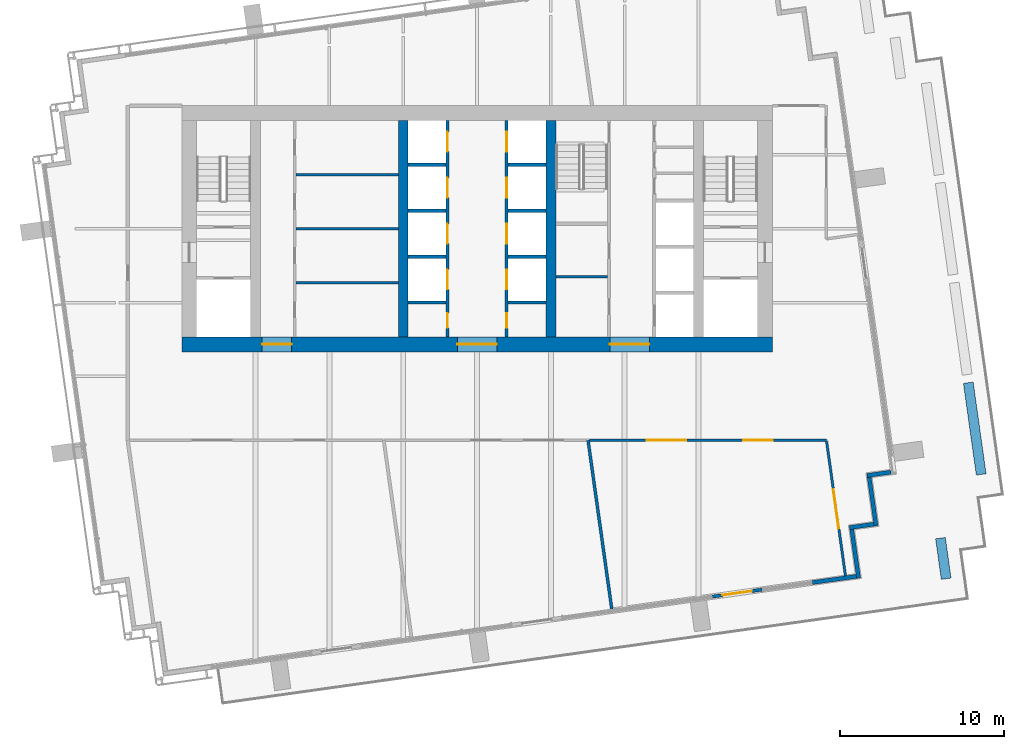
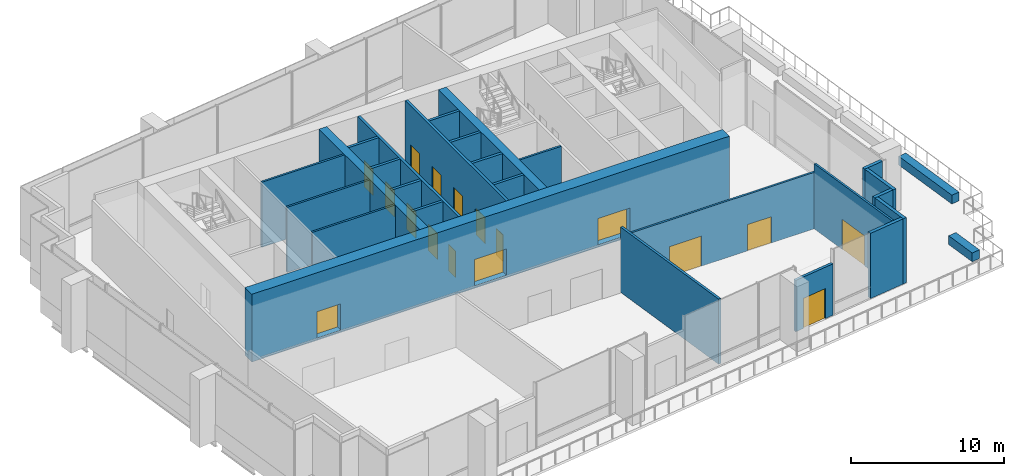
# One storey, part 7 of 14: 28 walls, 15 doors, 2 windows, 17 openings.
"""IFC4 building model written with IfcOpenShell, lengths in metres."""

from ifc_helpers import new_model, si_unit, direction, frame, frame_2d, origin, place, context, subcontext, project, spatial, rectangle, extrude, material, layer, layer_set, type_object, element, fill, save


model = new_model("IFC4")

# Units and contexts
model_context = context("Model", 3, precision=1e-05, world=origin(), true_north=direction((0.0, 1.0)))
body_context = subcontext(model_context, "Body", "Model", "MODEL_VIEW")
ifc_project = project(units=[si_unit("LENGTHUNIT", "METRE"), si_unit("AREAUNIT", "SQUARE_METRE"), si_unit("VOLUMEUNIT", "CUBIC_METRE"), si_unit("PLANEANGLEUNIT", "RADIAN"), si_unit("MASSUNIT", "GRAM", prefix="KILO")], contexts=[model_context])

# Site, building, storey
site_placement = place(None, origin())
site = spatial("IfcSite", under=ifc_project, at=site_placement, CompositionType="ELEMENT")
building_placement = place(site_placement, origin())
building = spatial("IfcBuilding", under=site, at=building_placement, Name="Rattan Terrace Tower", CompositionType="ELEMENT")
storey_placement = place(building_placement, frame((0.0, 0.0, 249.699951171875)))
storey = spatial("IfcBuildingStorey", under=building, at=storey_placement, Name="L57", CompositionType="ELEMENT", Elevation=249.699951171875)

# Walls
ifc_material_1 = material(Name="Gypsum board partition")
ifc_layer_1 = layer(ifc_material_1, 0.14990234375)
ifc_layer_set_1 = layer_set([ifc_layer_1], Name="Core partition 150")
wall_type_1 = type_object("IfcWallType", Name="Core partition 150", PredefinedType="PARTITIONING", material=ifc_layer_set_1)
for number, where, z_axis, x_axis, name in (
    (1, (-11.050048828125, -3.300048828125, 0.0), (0.0, 0.0, 1.0), (1.0, 0.0, 0.0), "Core room wall"),
    (2, (-11.050048828125, 0.0, 0.0), (0.0, 0.0, 1.0), (1.0, 0.0, 0.0), "Core room wall"),
    (3, (-11.050048828125, 3.300048828125, 0.0), (0.0, 0.0, 1.0), (1.0, 0.0, 0.0), "Core room wall"),
):
    element("IfcWall", number, at=place(storey_placement, frame(where, z_axis=z_axis, x_axis=x_axis)), inside=storey, type_object=wall_type_1, Name=name, PredefinedType="PARTITIONING", context=body_context, shape_type="SweptSolid", body=[
        extrude(rectangle(XDim=6.25, YDim=0.14990234375, at=frame_2d((3.125, 0.0))), origin(), (0.0, 0.0, 1.0), 5.199951171875),
    ])
wall_1_placement = place(storey_placement, frame((4.800048828125, -2.927978515625, 0.0), z_axis=(0.0, 0.0, 1.0), x_axis=(1.0, 0.0, 0.0)))
element("IfcWall", 4, at=wall_1_placement, inside=storey, type_object=wall_type_1, Name="Toilet wall", PredefinedType="PARTITIONING", context=body_context, shape_type="SweptSolid", body=[
    extrude(rectangle(XDim=3.14990234375, YDim=0.14990234375, at=frame_2d((1.574951171875, 0.0))), origin(), (0.0, 0.0, 1.0), 5.199951171875),
])

# Wall, openings, doors
ifc_material_2 = material(Name="Concrete C50/60", Category="concrete")
ifc_layer_2 = layer(ifc_material_2, 0.89990234375)
ifc_layer_set_2 = layer_set([ifc_layer_2], Name="Core ring wall 900 C50/60")
wall_type_2 = type_object("IfcWallType", Name="Core ring wall 900 C50/60", PredefinedType="SHEAR", material=ifc_layer_set_2)
wall_2_placement = place(storey_placement, frame((-18.0, -7.050048828125, -0.199951171875), z_axis=(0.0, 0.0, 1.0), x_axis=(1.0, 0.0, 0.0)))
wall_2 = element("IfcWall", 5, at=wall_2_placement, inside=storey, type_object=wall_type_2, Name="Rear core wall south", PredefinedType="SHEAR", context=body_context, shape_type="SweptSolid", body=[
    extrude(rectangle(XDim=36.0, YDim=0.89990234375, at=frame_2d((18.0, 0.0))), origin(), (0.0, 0.0, 1.0), 5.39990234375),
])
opening_1_placement = place(wall_2_placement, frame((4.89990234375, 0.0, 0.199951171875)))
opening_1 = element("IfcOpeningElement", 6, at=opening_1_placement, cuts=wall_2, Name="Opening L57-D009", PredefinedType="OPENING", context=body_context, shape_type="SweptSolid", body=[
    extrude(rectangle(XDim=1.800048828125, YDim=2.10009765625, at=frame_2d((0.89990234375, 1.050048828125))), frame((0.0, 0.46044921875, 0.0), z_axis=(0.0, -1.0, 0.0), x_axis=(1.0, 0.0, 0.0)), (0.0, 0.0, 1.0), 0.9208984375),
])
opening_2_placement = place(wall_2_placement, frame((16.800048828125, 0.0, 0.199951171875)))
opening_2 = element("IfcOpeningElement", 7, at=opening_2_placement, cuts=wall_2, Name="Opening L57-D012", PredefinedType="OPENING", context=body_context, shape_type="SweptSolid", body=[
    extrude(rectangle(XDim=2.39990234375, YDim=2.10009765625, at=frame_2d((1.199951171875, 1.050048828125))), frame((0.0, 0.46044921875, 0.0), z_axis=(0.0, -1.0, 0.0), x_axis=(1.0, 0.0, 0.0)), (0.0, 0.0, 1.0), 0.9208984375),
])
opening_3_placement = place(wall_2_placement, frame((26.10009765625, 0.0, 0.199951171875)))
opening_3 = element("IfcOpeningElement", 8, at=opening_3_placement, cuts=wall_2, Name="Opening L57-D016", PredefinedType="OPENING", context=body_context, shape_type="SweptSolid", body=[
    extrude(rectangle(XDim=2.39990234375, YDim=2.10009765625, at=frame_2d((1.199951171875, 1.050048828125))), frame((0.0, 0.46044921875, 0.0), z_axis=(0.0, -1.0, 0.0), x_axis=(1.0, 0.0, 0.0)), (0.0, 0.0, 1.0), 0.9208984375),
])
ifc_material_3 = material(Name="Hollow-metal fire door leaf")
door_type_1 = type_object("IfcDoorType", Name="Core lift lobby door 2400", OperationType="NOTDEFINED", PredefinedType="DOOR", material=ifc_material_3)
door_1_placement = place(opening_2_placement, origin())
door_1 = element("IfcDoor", 9, at=door_1_placement, inside=storey, type_object=door_type_1, Name="Door L57-D012", OperationType="DOUBLE_DOOR_DOUBLE_SWING", OverallHeight=2.10009765625, OverallWidth=2.39990234375, PredefinedType="DOOR", context=body_context, shape_type="SweptSolid", body=[
    extrude(rectangle(XDim=2.39990234375, YDim=2.10009765625, at=frame_2d((1.199951171875, 1.050048828125))), frame((0.0, 0.02490234375, 0.0), z_axis=(0.0, -1.0, 0.0), x_axis=(1.0, 0.0, 0.0)), (0.0, 0.0, 1.0), 0.050048828125),
])
fill(opening_2, door_1)
door_2_placement = place(opening_3_placement, origin())
door_2 = element("IfcDoor", 10, at=door_2_placement, inside=storey, type_object=door_type_1, Name="Door L57-D016", OperationType="DOUBLE_DOOR_DOUBLE_SWING", OverallHeight=2.10009765625, OverallWidth=2.39990234375, PredefinedType="DOOR", context=body_context, shape_type="SweptSolid", body=[
    extrude(rectangle(XDim=2.39990234375, YDim=2.10009765625, at=frame_2d((1.199951171875, 1.050048828125))), frame((0.0, 0.02490234375, 0.0), z_axis=(0.0, -1.0, 0.0), x_axis=(1.0, 0.0, 0.0)), (0.0, 0.0, 1.0), 0.050048828125),
])
fill(opening_3, door_2)
ifc_material_4 = material(Name="Hollow-metal fire door leaf")
door_type_2 = type_object("IfcDoorType", Name="Core service room door 1800", OperationType="NOTDEFINED", PredefinedType="DOOR", material=ifc_material_4)
door_3_placement = place(opening_1_placement, origin())
door_3 = element("IfcDoor", 11, at=door_3_placement, inside=storey, type_object=door_type_2, Name="Door L57-D009", OperationType="SINGLE_SWING_RIGHT", OverallHeight=2.10009765625, OverallWidth=1.800048828125, PredefinedType="DOOR", context=body_context, shape_type="SweptSolid", body=[
    extrude(rectangle(XDim=1.800048828125, YDim=2.10009765625, at=frame_2d((0.89990234375, 1.050048828125))), frame((0.0, 0.02490234375, 0.0), z_axis=(0.0, -1.0, 0.0), x_axis=(1.0, 0.0, 0.0)), (0.0, 0.0, 1.0), 0.050048828125),
])
fill(opening_1, door_3)

# Walls
ifc_material_5 = material(Name="Concrete C50/60", Category="concrete")
ifc_layer_3 = layer(ifc_material_5, 0.60009765625)
ifc_layer_set_3 = layer_set([ifc_layer_3], Name="Core spine wall 600 C50/60")
wall_type_3 = type_object("IfcWallType", Name="Core spine wall 600 C50/60", PredefinedType="SHEAR", material=ifc_layer_set_3)
for number, where, z_axis, x_axis, name in (
    (12, (-4.5, -6.60009765625, -0.199951171875), (0.0, 0.0, 1.0), (0.0, 1.0, 0.0), "Core spine wall 2"),
    (13, (4.5, -6.60009765625, -0.199951171875), (0.0, 0.0, 1.0), (0.0, 1.0, 0.0), "Core spine wall 3"),
):
    element("IfcWall", number, at=place(storey_placement, frame(where, z_axis=z_axis, x_axis=x_axis)), inside=storey, type_object=wall_type_3, Name=name, PredefinedType="SHEAR", context=body_context, shape_type="SweptSolid", body=[
        extrude(rectangle(XDim=13.2001953125, YDim=0.60009765625, at=frame_2d((6.60009765625, 0.0))), origin(), (0.0, 0.0, 1.0), 5.39990234375),
    ])

# Wall, opening, door
ifc_material_6 = material(Name="Insulated aluminium-clad stud wall", Category="aluminium")
ifc_layer_4 = layer(ifc_material_6, 0.199951171875)
ifc_layer_set_4 = layer_set([ifc_layer_4], Name="Facade Door Wall 200")
wall_type_4 = type_object("IfcWallType", Name="Facade Door Wall 200", PredefinedType="SOLIDWALL", material=ifc_layer_set_4)
wall_3_placement = place(storey_placement, frame((14.330322265625, -22.430419921875, 0.0), z_axis=(0.0, 0.0, 1.0), x_axis=(0.990273122723, 0.139137135276, 0.0)))
wall_3 = element("IfcWall", 14, at=wall_3_placement, inside=storey, type_object=wall_type_4, Name="Terrace door wall L57-24", PredefinedType="SOLIDWALL", context=body_context, shape_type="SweptSolid", body=[
    extrude(rectangle(XDim=3.0830078125, YDim=0.199951171875, at=frame_2d((1.54150390625, 0.0))), origin(), (0.0, 0.0, 1.0), 4.10009765625),
])
opening_4_placement = place(wall_3_placement, frame((0.6416015625, 0.0, 0.0)))
opening_4 = element("IfcOpeningElement", 15, at=opening_4_placement, cuts=wall_3, Name="Opening L57-D704", PredefinedType="OPENING", context=body_context, shape_type="SweptSolid", body=[
    extrude(rectangle(XDim=1.800048828125, YDim=2.39990234375, at=frame_2d((0.89990234375, 1.199951171875))), frame((0.0, 0.110595703125, 0.0), z_axis=(0.0, -1.0, 0.0), x_axis=(1.0, 0.0, 0.0)), (0.0, 0.0, 1.0), 0.220947265625),
])
ifc_material_7 = material(Name="Aluminium and clear glass", Category="aluminium")
door_type_3 = type_object("IfcDoorType", Name="Facade Terrace Door 1800", OperationType="DOUBLE_DOOR_SINGLE_SWING", PredefinedType="DOOR", material=ifc_material_7)
door_4_placement = place(opening_4_placement, origin())
door_4 = element("IfcDoor", 16, at=door_4_placement, inside=storey, type_object=door_type_3, Name="Terrace door L57-D704", OperationType="DOUBLE_DOOR_SINGLE_SWING", OverallHeight=2.39990234375, OverallWidth=1.800048828125, PredefinedType="DOOR", context=body_context, shape_type="SweptSolid", body=[
    extrude(rectangle(XDim=1.800048828125, YDim=2.39990234375, at=frame_2d((0.89990234375, 1.199951171875))), frame((0.0, 0.02490234375, 0.0), z_axis=(0.0, -1.0, 0.0), x_axis=(1.0, 0.0, 0.0)), (0.0, 0.0, 1.0), 0.050048828125),
])
fill(opening_4, door_4)

# Walls
ifc_material_8 = material(Name="Precast concrete C30/37", Category="concrete")
ifc_layer_5 = layer(ifc_material_8, 0.60009765625)
ifc_layer_set_5 = layer_set([ifc_layer_5], Name="Facade Planter Wall 600")
wall_type_5 = type_object("IfcWallType", Name="Facade Planter Wall 600", PredefinedType="SOLIDWALL", material=ifc_layer_set_5)
wall_4_placement = place(storey_placement, frame((29.948974609375, -9.385986328125, 0.0), z_axis=(0.0, 0.0, 1.0), x_axis=(0.139309782763, -0.990248849748, 0.0)))
element("IfcWall", 17, at=wall_4_placement, inside=storey, type_object=wall_type_5, Name="PLANTER bed L57-6", PredefinedType="SOLIDWALL", context=body_context, shape_type="SweptSolid", body=[
    extrude(rectangle(XDim=5.650146484375, YDim=0.60009765625, at=frame_2d((2.8251953125, 0.0))), origin(), (0.0, 0.0, 1.0), 0.699951171875),
])
wall_5_placement = place(storey_placement, frame((28.2529296875, -18.864013671875, 0.0), z_axis=(0.0, 0.0, 1.0), x_axis=(0.138850869202, -0.990313302002, 0.0)))
element("IfcWall", 18, at=wall_5_placement, inside=storey, type_object=wall_type_5, Name="PLANTER bed L57-7", PredefinedType="SOLIDWALL", context=body_context, shape_type="SweptSolid", body=[
    extrude(rectangle(XDim=2.500244140625, YDim=0.60009765625, at=frame_2d((1.25, 0.0))), origin(), (0.0, 0.0, 1.0), 0.699951171875),
])
ifc_material_9 = material(Name="Insulated aluminium-clad stud wall", Category="aluminium")
ifc_layer_6 = layer(ifc_material_9, 0.25)
ifc_layer_set_6 = layer_set([ifc_layer_6], Name="Facade Riser Wall 250")
wall_type_6 = type_object("IfcWallType", Name="Facade Riser Wall 250", PredefinedType="SOLIDWALL", material=ifc_layer_set_6)
wall_6_placement = place(storey_placement, frame((20.4404296875, -21.571533203125, 0.0), z_axis=(0.0, 0.0, 1.0), x_axis=(0.990293105353, 0.138994839796, 0.0)))
element("IfcWall", 19, at=wall_6_placement, inside=storey, type_object=wall_type_6, Name="Riser wall L57-1", PredefinedType="SOLIDWALL", context=body_context, shape_type="SweptSolid", body=[
    extrude(rectangle(XDim=2.705078125, YDim=0.25, at=frame_2d((1.3525390625, 0.0))), origin(), (0.0, 0.0, 1.0), 5.199951171875),
])
wall_7_placement = place(storey_placement, frame((23.260498046875, -21.302001953125, 0.0), z_axis=(0.0, 0.0, 1.0), x_axis=(-0.138994228812, 0.990293191109, 0.0)))
element("IfcWall", 20, at=wall_7_placement, inside=storey, type_object=wall_type_6, Name="Riser wall L57-2", PredefinedType="SOLIDWALL", context=body_context, shape_type="SweptSolid", body=[
    extrude(rectangle(XDim=3.0, YDim=0.25, at=frame_2d((1.5, 0.0))), origin(), (0.0, 0.0, 1.0), 5.199951171875),
])
wall_8_placement = place(storey_placement, frame((22.7021484375, -18.224853515625, 0.0), z_axis=(0.0, 0.0, 1.0), x_axis=(0.990243596651, 0.13934711799, 0.0)))
element("IfcWall", 21, at=wall_8_placement, inside=storey, type_object=wall_type_6, Name="Riser wall L57-3", PredefinedType="SOLIDWALL", context=body_context, shape_type="SweptSolid", body=[
    extrude(rectangle(XDim=1.499755859375, YDim=0.25, at=frame_2d((0.75, 0.0))), origin(), (0.0, 0.0, 1.0), 5.199951171875),
])
wall_9_placement = place(storey_placement, frame((24.328369140625, -18.1220703125, 0.0), z_axis=(0.0, 0.0, 1.0), x_axis=(-0.139358350296, 0.990242015975, 0.0)))
element("IfcWall", 22, at=wall_9_placement, inside=storey, type_object=wall_type_6, Name="Riser wall L57-4", PredefinedType="SOLIDWALL", context=body_context, shape_type="SweptSolid", body=[
    extrude(rectangle(XDim=2.999267578125, YDim=0.25, at=frame_2d((1.49951171875, 0.0))), origin(), (0.0, 0.0, 1.0), 5.199951171875),
])
wall_10_placement = place(storey_placement, frame((23.769287109375, -15.045654296875, 0.0), z_axis=(0.0, 0.0, 1.0), x_axis=(0.990271190169, 0.139150889045, 0.0)))
element("IfcWall", 23, at=wall_10_placement, inside=storey, type_object=wall_type_6, Name="Riser wall L57-5", PredefinedType="SOLIDWALL", context=body_context, shape_type="SweptSolid", body=[
    extrude(rectangle(XDim=1.4755859375, YDim=0.25, at=frame_2d((0.73779296875, 0.0))), origin(), (0.0, 0.0, 1.0), 5.199951171875),
])
ifc_material_10 = material(Name="Double steel stud acoustic partition, gypsum board, mineral wool, fire rated", Category="steel")
ifc_layer_7 = layer(ifc_material_10, 0.179931640625)
ifc_layer_set_7 = layer_set([ifc_layer_7], Name="Floors Acoustic Party Wall 180")
wall_type_7 = type_object("IfcWallType", Name="Floors Acoustic Party Wall 180", PredefinedType="PARTITIONING", material=ifc_layer_set_7)
wall_11_placement = place(storey_placement, frame((8.214111328125, -23.199951171875, 0.0), z_axis=(0.0, 0.0, 1.0), x_axis=(-0.139120683078, 0.99027543418, 0.0)))
element("IfcWall", 24, at=wall_11_placement, inside=storey, type_object=wall_type_7, Name="pt-L57-010", PredefinedType="PARTITIONING", context=body_context, shape_type="SweptSolid", body=[
    extrude(rectangle(XDim=10.401123046875, YDim=0.179931640625, at=frame_2d((5.20068359375, 0.0))), origin(), (0.0, 0.0, 1.0), 5.199951171875),
])

# Wall, openings, door, window
ifc_material_11 = material(Name="Gypsum board partition on steel studs, fire rated", Category="steel")
ifc_layer_8 = layer(ifc_material_11, 0.14990234375)
ifc_layer_set_8 = layer_set([ifc_layer_8], Name="Floors Tenancy Wall 150")
wall_type_8 = type_object("IfcWallType", Name="Floors Tenancy Wall 150", PredefinedType="PARTITIONING", material=ifc_layer_set_8)
wall_12_placement = place(storey_placement, frame((21.301025390625, -12.89990234375, 0.0), z_axis=(0.0, 0.0, 1.0), x_axis=(-1.0, 0.0, 0.0)))
wall_12 = element("IfcWall", 25, at=wall_12_placement, inside=storey, type_object=wall_type_8, Name="pt-L57-001", PredefinedType="PARTITIONING", context=body_context, shape_type="SweptSolid", body=[
    extrude(rectangle(XDim=14.43310546875, YDim=0.14990234375, at=frame_2d((7.216552734375, 0.0))), origin(), (0.0, 0.0, 1.0), 4.5),
])
opening_5_placement = place(wall_12_placement, frame((3.282958984375, 0.0, 0.0)))
opening_5 = element("IfcOpeningElement", 26, at=opening_5_placement, cuts=wall_12, Name="Opening L57-D100", PredefinedType="OPENING", context=body_context, shape_type="SweptSolid", body=[
    extrude(rectangle(XDim=1.800048828125, YDim=2.10009765625, at=frame_2d((0.89990234375, 1.050048828125))), frame((0.0, 0.08544921875, 0.0), z_axis=(0.0, -1.0, 0.0), x_axis=(1.0, 0.0, 0.0)), (0.0, 0.0, 1.0), 0.1708984375),
])
opening_6_placement = place(wall_12_placement, frame((8.555908203125, 0.0, 0.0)))
opening_6 = element("IfcOpeningElement", 27, at=opening_6_placement, cuts=wall_12, Name="Opening L57-W100", PredefinedType="OPENING", context=body_context, shape_type="SweptSolid", body=[
    extrude(rectangle(XDim=2.39990234375, YDim=2.39990234375, at=frame_2d((1.199951171875, 1.199951171875))), frame((0.0, 0.08544921875, 0.0), z_axis=(0.0, -1.0, 0.0), x_axis=(1.0, 0.0, 0.0)), (0.0, 0.0, 1.0), 0.1708984375),
])
ifc_material_12 = material(Name="Steel fire door set", Category="steel")
door_type_4 = type_object("IfcDoorType", Name="Floors Fire Door Pair FD30S 1800x2100", OperationType="NOTDEFINED", PredefinedType="DOOR", material=ifc_material_12)
door_5_placement = place(opening_5_placement, origin())
door_5 = element("IfcDoor", 28, at=door_5_placement, inside=storey, type_object=door_type_4, Name="d-L57-100", OperationType="DOUBLE_DOOR_SINGLE_SWING", OverallHeight=2.10009765625, OverallWidth=1.800048828125, PredefinedType="DOOR", context=body_context, shape_type="SweptSolid", body=[
    extrude(rectangle(XDim=1.800048828125, YDim=2.10009765625, at=frame_2d((0.89990234375, 1.050048828125))), frame((0.0, 0.02490234375, 0.0), z_axis=(0.0, -1.0, 0.0), x_axis=(1.0, 0.0, 0.0)), (0.0, 0.0, 1.0), 0.050048828125),
])
fill(opening_5, door_5)
ifc_material_13 = material(Name="Glass, clear, fixed in aluminium frame", Category="aluminium")
window_type = type_object("IfcWindowType", Name="Interior Glazed Screen 2400x2400", PartitioningType="SINGLE_PANEL", PredefinedType="WINDOW", material=ifc_material_13)
window_1_placement = place(opening_6_placement, origin())
window_1 = element("IfcWindow", 29, at=window_1_placement, inside=storey, type_object=window_type, Name="w-L57-100", OverallHeight=2.39990234375, OverallWidth=2.39990234375, PartitioningType="SINGLE_PANEL", PredefinedType="WINDOW", context=body_context, shape_type="SweptSolid", body=[
    extrude(rectangle(XDim=2.39990234375, YDim=2.39990234375, at=frame_2d((1.199951171875, 1.199951171875))), frame((0.0, 0.030029296875, 0.0), z_axis=(0.0, -1.0, 0.0), x_axis=(1.0, 0.0, 0.0)), (0.0, 0.0, 1.0), 0.06005859375),
])
fill(opening_6, window_1)

# Wall, opening, window
wall_13_placement = place(storey_placement, frame((22.466064453125, -21.197021484375, 0.0), z_axis=(0.0, 0.0, 1.0), x_axis=(-0.139079162596, 0.990281266374, 0.0)))
wall_13 = element("IfcWall", 30, at=wall_13_placement, inside=storey, type_object=wall_type_8, Name="pt-L57-002", PredefinedType="PARTITIONING", context=body_context, shape_type="SweptSolid", body=[
    extrude(rectangle(XDim=8.304931640625, YDim=0.14990234375, at=frame_2d((4.15234375, 0.0))), origin(), (0.0, 0.0, 1.0), 5.199951171875),
])
opening_7_placement = place(wall_13_placement, frame((2.951904296875, 0.0, 0.0)))
opening_7 = element("IfcOpeningElement", 31, at=opening_7_placement, cuts=wall_13, Name="Opening L57-W101", PredefinedType="OPENING", context=body_context, shape_type="SweptSolid", body=[
    extrude(rectangle(XDim=2.39990234375, YDim=2.39990234375, at=frame_2d((1.199951171875, 1.199951171875))), frame((0.0, 0.08544921875, 0.0), z_axis=(0.0, -1.0, 0.0), x_axis=(1.0, 0.0, 0.0)), (0.0, 0.0, 1.0), 0.1708984375),
])
window_2_placement = place(opening_7_placement, origin())
window_2 = element("IfcWindow", 32, at=window_2_placement, inside=storey, type_object=window_type, Name="w-L57-101", OverallHeight=2.39990234375, OverallWidth=2.39990234375, PartitioningType="SINGLE_PANEL", PredefinedType="WINDOW", context=body_context, shape_type="SweptSolid", body=[
    extrude(rectangle(XDim=2.39990234375, YDim=2.39990234375, at=frame_2d((1.199951171875, 1.199951171875))), frame((0.0, 0.030029296875, 0.0), z_axis=(0.0, -1.0, 0.0), x_axis=(1.0, 0.0, 0.0)), (0.0, 0.0, 1.0), 0.06005859375),
])
fill(opening_7, window_2)

# Wall, openings, doors
ifc_material_14 = material(Name="Gypsum shaft wall system")
ifc_layer_9 = layer(ifc_material_14, 0.199951171875)
ifc_layer_set_9 = layer_set([ifc_layer_9], Name="Lift shaft wall 200")
wall_type_9 = type_object("IfcWallType", Name="Lift shaft wall 200", PredefinedType="PARTITIONING", material=ifc_layer_set_9)
wall_14_placement = place(storey_placement, frame((-1.800048828125, -6.60009765625, 0.0), z_axis=(0.0, 0.0, 1.0), x_axis=(0.0, 1.0, 0.0)))
wall_14 = element("IfcWall", 33, at=wall_14_placement, inside=storey, type_object=wall_type_9, Name="Lift shaft front wall", PredefinedType="PARTITIONING", context=body_context, shape_type="SweptSolid", body=[
    extrude(rectangle(XDim=13.2001953125, YDim=0.199951171875, at=frame_2d((6.60009765625, 0.0))), origin(), (0.0, 0.0, 1.0), 5.199951171875),
])
opening_8_placement = place(wall_14_placement, frame((0.550048828125, 0.0, 0.0)))
opening_8 = element("IfcOpeningElement", 34, at=opening_8_placement, cuts=wall_14, Name="Opening L57-D010", PredefinedType="OPENING", context=body_context, shape_type="SweptSolid", body=[
    extrude(rectangle(XDim=0.89990234375, YDim=2.10009765625, at=frame_2d((0.449951171875, 1.050048828125))), frame((0.0, 0.110595703125, 0.0), z_axis=(0.0, -1.0, 0.0), x_axis=(1.0, 0.0, 0.0)), (0.0, 0.0, 1.0), 0.220947265625),
])
opening_9_placement = place(wall_14_placement, frame((2.89990234375, 0.0, 0.0)))
opening_9 = element("IfcOpeningElement", 35, at=opening_9_placement, cuts=wall_14, Name="Opening L57-LD-HR1", PredefinedType="OPENING", context=body_context, shape_type="SweptSolid", body=[
    extrude(rectangle(XDim=1.199951171875, YDim=2.10009765625, at=frame_2d((0.60009765625, 1.050048828125))), frame((0.0, 0.110595703125, 0.0), z_axis=(0.0, -1.0, 0.0), x_axis=(1.0, 0.0, 0.0)), (0.0, 0.0, 1.0), 0.220947265625),
])
opening_10_placement = place(wall_14_placement, frame((5.699951171875, 0.0, 0.0)))
opening_10 = element("IfcOpeningElement", 36, at=opening_10_placement, cuts=wall_14, Name="Opening L57-LD-HR2", PredefinedType="OPENING", context=body_context, shape_type="SweptSolid", body=[
    extrude(rectangle(XDim=1.199951171875, YDim=2.10009765625, at=frame_2d((0.60009765625, 1.050048828125))), frame((0.0, 0.110595703125, 0.0), z_axis=(0.0, -1.0, 0.0), x_axis=(1.0, 0.0, 0.0)), (0.0, 0.0, 1.0), 0.220947265625),
])
opening_11_placement = place(wall_14_placement, frame((8.5, 0.0, 0.0)))
opening_11 = element("IfcOpeningElement", 37, at=opening_11_placement, cuts=wall_14, Name="Opening L57-LD-HR3", PredefinedType="OPENING", context=body_context, shape_type="SweptSolid", body=[
    extrude(rectangle(XDim=1.199951171875, YDim=2.10009765625, at=frame_2d((0.60009765625, 1.050048828125))), frame((0.0, 0.110595703125, 0.0), z_axis=(0.0, -1.0, 0.0), x_axis=(1.0, 0.0, 0.0)), (0.0, 0.0, 1.0), 0.220947265625),
])
opening_12_placement = place(wall_14_placement, frame((11.300048828125, 0.0, 0.0)))
opening_12 = element("IfcOpeningElement", 38, at=opening_12_placement, cuts=wall_14, Name="Opening L57-LD-HR4", PredefinedType="OPENING", context=body_context, shape_type="SweptSolid", body=[
    extrude(rectangle(XDim=1.199951171875, YDim=2.10009765625, at=frame_2d((0.60009765625, 1.050048828125))), frame((0.0, 0.110595703125, 0.0), z_axis=(0.0, -1.0, 0.0), x_axis=(1.0, 0.0, 0.0)), (0.0, 0.0, 1.0), 0.220947265625),
])
ifc_material_15 = material(Name="Brushed stainless landing door panel")
door_type_5 = type_object("IfcDoorType", Name="Core lift landing door 1200", OperationType="DOUBLE_DOOR_SLIDING", PredefinedType="DOOR", material=ifc_material_15)
door_6_placement = place(opening_9_placement, origin())
door_6 = element("IfcDoor", 39, at=door_6_placement, inside=storey, type_object=door_type_5, Name="Door L57-LD-HR1", OperationType="DOUBLE_DOOR_SLIDING", OverallHeight=2.10009765625, OverallWidth=1.199951171875, PredefinedType="DOOR", context=body_context, shape_type="SweptSolid", body=[
    extrude(rectangle(XDim=1.199951171875, YDim=2.10009765625, at=frame_2d((0.60009765625, 1.050048828125))), frame((0.0, 0.02490234375, 0.0), z_axis=(0.0, -1.0, 0.0), x_axis=(1.0, 0.0, 0.0)), (0.0, 0.0, 1.0), 0.050048828125),
])
fill(opening_9, door_6)
door_7_placement = place(opening_10_placement, origin())
door_7 = element("IfcDoor", 40, at=door_7_placement, inside=storey, type_object=door_type_5, Name="Door L57-LD-HR2", OperationType="DOUBLE_DOOR_SLIDING", OverallHeight=2.10009765625, OverallWidth=1.199951171875, PredefinedType="DOOR", context=body_context, shape_type="SweptSolid", body=[
    extrude(rectangle(XDim=1.199951171875, YDim=2.10009765625, at=frame_2d((0.60009765625, 1.050048828125))), frame((0.0, 0.02490234375, 0.0), z_axis=(0.0, -1.0, 0.0), x_axis=(1.0, 0.0, 0.0)), (0.0, 0.0, 1.0), 0.050048828125),
])
fill(opening_10, door_7)
door_8_placement = place(opening_11_placement, origin())
door_8 = element("IfcDoor", 41, at=door_8_placement, inside=storey, type_object=door_type_5, Name="Door L57-LD-HR3", OperationType="DOUBLE_DOOR_SLIDING", OverallHeight=2.10009765625, OverallWidth=1.199951171875, PredefinedType="DOOR", context=body_context, shape_type="SweptSolid", body=[
    extrude(rectangle(XDim=1.199951171875, YDim=2.10009765625, at=frame_2d((0.60009765625, 1.050048828125))), frame((0.0, 0.02490234375, 0.0), z_axis=(0.0, -1.0, 0.0), x_axis=(1.0, 0.0, 0.0)), (0.0, 0.0, 1.0), 0.050048828125),
])
fill(opening_11, door_8)
door_9_placement = place(opening_12_placement, origin())
door_9 = element("IfcDoor", 42, at=door_9_placement, inside=storey, type_object=door_type_5, Name="Door L57-LD-HR4", OperationType="DOUBLE_DOOR_SLIDING", OverallHeight=2.10009765625, OverallWidth=1.199951171875, PredefinedType="DOOR", context=body_context, shape_type="SweptSolid", body=[
    extrude(rectangle(XDim=1.199951171875, YDim=2.10009765625, at=frame_2d((0.60009765625, 1.050048828125))), frame((0.0, 0.02490234375, 0.0), z_axis=(0.0, -1.0, 0.0), x_axis=(1.0, 0.0, 0.0)), (0.0, 0.0, 1.0), 0.050048828125),
])
fill(opening_12, door_9)
ifc_material_16 = material(Name="Hollow-metal fire door leaf")
door_type_6 = type_object("IfcDoorType", Name="Core riser door 900", OperationType="NOTDEFINED", PredefinedType="DOOR", material=ifc_material_16)
door_10_placement = place(opening_8_placement, origin())
door_10 = element("IfcDoor", 43, at=door_10_placement, inside=storey, type_object=door_type_6, Name="Door L57-D010", OperationType="SINGLE_SWING_LEFT", OverallHeight=2.10009765625, OverallWidth=0.89990234375, PredefinedType="DOOR", context=body_context, shape_type="SweptSolid", body=[
    extrude(rectangle(XDim=0.89990234375, YDim=2.10009765625, at=frame_2d((0.449951171875, 1.050048828125))), frame((0.0, 0.02490234375, 0.0), z_axis=(0.0, -1.0, 0.0), x_axis=(1.0, 0.0, 0.0)), (0.0, 0.0, 1.0), 0.050048828125),
])
fill(opening_8, door_10)

wall_15_placement = place(storey_placement, frame((1.800048828125, -6.60009765625, 0.0), z_axis=(0.0, 0.0, 1.0), x_axis=(0.0, 1.0, 0.0)))
wall_15 = element("IfcWall", 44, at=wall_15_placement, inside=storey, type_object=wall_type_9, Name="Lift shaft front wall", PredefinedType="PARTITIONING", context=body_context, shape_type="SweptSolid", body=[
    extrude(rectangle(XDim=13.2001953125, YDim=0.199951171875, at=frame_2d((6.60009765625, 0.0))), origin(), (0.0, 0.0, 1.0), 5.199951171875),
])
opening_13_placement = place(wall_15_placement, frame((0.550048828125, 0.0, 0.0)))
opening_13 = element("IfcOpeningElement", 45, at=opening_13_placement, cuts=wall_15, Name="Opening L57-D011", PredefinedType="OPENING", context=body_context, shape_type="SweptSolid", body=[
    extrude(rectangle(XDim=0.89990234375, YDim=2.10009765625, at=frame_2d((0.449951171875, 1.050048828125))), frame((0.0, 0.110595703125, 0.0), z_axis=(0.0, -1.0, 0.0), x_axis=(1.0, 0.0, 0.0)), (0.0, 0.0, 1.0), 0.220947265625),
])
opening_14_placement = place(wall_15_placement, frame((2.89990234375, 0.0, 0.0)))
opening_14 = element("IfcOpeningElement", 46, at=opening_14_placement, cuts=wall_15, Name="Opening L57-LD-HR5", PredefinedType="OPENING", context=body_context, shape_type="SweptSolid", body=[
    extrude(rectangle(XDim=1.199951171875, YDim=2.10009765625, at=frame_2d((0.60009765625, 1.050048828125))), frame((0.0, 0.110595703125, 0.0), z_axis=(0.0, -1.0, 0.0), x_axis=(1.0, 0.0, 0.0)), (0.0, 0.0, 1.0), 0.220947265625),
])
opening_15_placement = place(wall_15_placement, frame((5.699951171875, 0.0, 0.0)))
opening_15 = element("IfcOpeningElement", 47, at=opening_15_placement, cuts=wall_15, Name="Opening L57-LD-HR6", PredefinedType="OPENING", context=body_context, shape_type="SweptSolid", body=[
    extrude(rectangle(XDim=1.199951171875, YDim=2.10009765625, at=frame_2d((0.60009765625, 1.050048828125))), frame((0.0, 0.110595703125, 0.0), z_axis=(0.0, -1.0, 0.0), x_axis=(1.0, 0.0, 0.0)), (0.0, 0.0, 1.0), 0.220947265625),
])
opening_16_placement = place(wall_15_placement, frame((8.5, 0.0, 0.0)))
opening_16 = element("IfcOpeningElement", 48, at=opening_16_placement, cuts=wall_15, Name="Opening L57-LD-HR7", PredefinedType="OPENING", context=body_context, shape_type="SweptSolid", body=[
    extrude(rectangle(XDim=1.199951171875, YDim=2.10009765625, at=frame_2d((0.60009765625, 1.050048828125))), frame((0.0, 0.110595703125, 0.0), z_axis=(0.0, -1.0, 0.0), x_axis=(1.0, 0.0, 0.0)), (0.0, 0.0, 1.0), 0.220947265625),
])
opening_17_placement = place(wall_15_placement, frame((11.300048828125, 0.0, 0.0)))
opening_17 = element("IfcOpeningElement", 49, at=opening_17_placement, cuts=wall_15, Name="Opening L57-LD-HR8", PredefinedType="OPENING", context=body_context, shape_type="SweptSolid", body=[
    extrude(rectangle(XDim=1.199951171875, YDim=2.10009765625, at=frame_2d((0.60009765625, 1.050048828125))), frame((0.0, 0.110595703125, 0.0), z_axis=(0.0, -1.0, 0.0), x_axis=(1.0, 0.0, 0.0)), (0.0, 0.0, 1.0), 0.220947265625),
])
door_11_placement = place(opening_14_placement, origin())
door_11 = element("IfcDoor", 50, at=door_11_placement, inside=storey, type_object=door_type_5, Name="Door L57-LD-HR5", OperationType="DOUBLE_DOOR_SLIDING", OverallHeight=2.10009765625, OverallWidth=1.199951171875, PredefinedType="DOOR", context=body_context, shape_type="SweptSolid", body=[
    extrude(rectangle(XDim=1.199951171875, YDim=2.10009765625, at=frame_2d((0.60009765625, 1.050048828125))), frame((0.0, 0.02490234375, 0.0), z_axis=(0.0, -1.0, 0.0), x_axis=(1.0, 0.0, 0.0)), (0.0, 0.0, 1.0), 0.050048828125),
])
fill(opening_14, door_11)
door_12_placement = place(opening_15_placement, origin())
door_12 = element("IfcDoor", 51, at=door_12_placement, inside=storey, type_object=door_type_5, Name="Door L57-LD-HR6", OperationType="DOUBLE_DOOR_SLIDING", OverallHeight=2.10009765625, OverallWidth=1.199951171875, PredefinedType="DOOR", context=body_context, shape_type="SweptSolid", body=[
    extrude(rectangle(XDim=1.199951171875, YDim=2.10009765625, at=frame_2d((0.60009765625, 1.050048828125))), frame((0.0, 0.02490234375, 0.0), z_axis=(0.0, -1.0, 0.0), x_axis=(1.0, 0.0, 0.0)), (0.0, 0.0, 1.0), 0.050048828125),
])
fill(opening_15, door_12)
door_13_placement = place(opening_16_placement, origin())
door_13 = element("IfcDoor", 52, at=door_13_placement, inside=storey, type_object=door_type_5, Name="Door L57-LD-HR7", OperationType="DOUBLE_DOOR_SLIDING", OverallHeight=2.10009765625, OverallWidth=1.199951171875, PredefinedType="DOOR", context=body_context, shape_type="SweptSolid", body=[
    extrude(rectangle(XDim=1.199951171875, YDim=2.10009765625, at=frame_2d((0.60009765625, 1.050048828125))), frame((0.0, 0.02490234375, 0.0), z_axis=(0.0, -1.0, 0.0), x_axis=(1.0, 0.0, 0.0)), (0.0, 0.0, 1.0), 0.050048828125),
])
fill(opening_16, door_13)
door_14_placement = place(opening_17_placement, origin())
door_14 = element("IfcDoor", 53, at=door_14_placement, inside=storey, type_object=door_type_5, Name="Door L57-LD-HR8", OperationType="DOUBLE_DOOR_SLIDING", OverallHeight=2.10009765625, OverallWidth=1.199951171875, PredefinedType="DOOR", context=body_context, shape_type="SweptSolid", body=[
    extrude(rectangle(XDim=1.199951171875, YDim=2.10009765625, at=frame_2d((0.60009765625, 1.050048828125))), frame((0.0, 0.02490234375, 0.0), z_axis=(0.0, -1.0, 0.0), x_axis=(1.0, 0.0, 0.0)), (0.0, 0.0, 1.0), 0.050048828125),
])
fill(opening_17, door_14)
door_15_placement = place(opening_13_placement, origin())
door_15 = element("IfcDoor", 54, at=door_15_placement, inside=storey, type_object=door_type_6, Name="Door L57-D011", OperationType="SINGLE_SWING_RIGHT", OverallHeight=2.10009765625, OverallWidth=0.89990234375, PredefinedType="DOOR", context=body_context, shape_type="SweptSolid", body=[
    extrude(rectangle(XDim=0.89990234375, YDim=2.10009765625, at=frame_2d((0.449951171875, 1.050048828125))), frame((0.0, 0.02490234375, 0.0), z_axis=(0.0, -1.0, 0.0), x_axis=(1.0, 0.0, 0.0)), (0.0, 0.0, 1.0), 0.050048828125),
])
fill(opening_13, door_15)

# Walls
for number, where, z_axis, x_axis, name in (
    (55, (-4.199951171875, -1.699951171875, 0.0), (0.0, 0.0, 1.0), (1.0, 0.0, 0.0), "Lift shaft wall"),
    (56, (-4.199951171875, 1.10009765625, 0.0), (0.0, 0.0, 1.0), (1.0, 0.0, 0.0), "Lift shaft wall"),
    (57, (-4.199951171875, 3.89990234375, 0.0), (0.0, 0.0, 1.0), (1.0, 0.0, 0.0), "Lift shaft wall"),
    (58, (-4.199951171875, -4.5, 0.0), (0.0, 0.0, 1.0), (1.0, 0.0, 0.0), "Lift shaft wall"),
    (59, (1.89990234375, -1.699951171875, 0.0), (0.0, 0.0, 1.0), (1.0, 0.0, 0.0), "Lift shaft wall"),
    (60, (1.89990234375, 1.10009765625, 0.0), (0.0, 0.0, 1.0), (1.0, 0.0, 0.0), "Lift shaft wall"),
    (61, (1.89990234375, 3.89990234375, 0.0), (0.0, 0.0, 1.0), (1.0, 0.0, 0.0), "Lift shaft wall"),
    (62, (1.89990234375, -4.5, 0.0), (0.0, 0.0, 1.0), (1.0, 0.0, 0.0), "Lift shaft wall"),
):
    element("IfcWall", number, at=place(storey_placement, frame(where, z_axis=z_axis, x_axis=x_axis)), inside=storey, type_object=wall_type_9, Name=name, PredefinedType="PARTITIONING", context=body_context, shape_type="SweptSolid", body=[
        extrude(rectangle(XDim=2.300048828125, YDim=0.199951171875, at=frame_2d((1.14990234375, 0.0))), origin(), (0.0, 0.0, 1.0), 5.199951171875),
    ])

save(model, "model.ifc")
